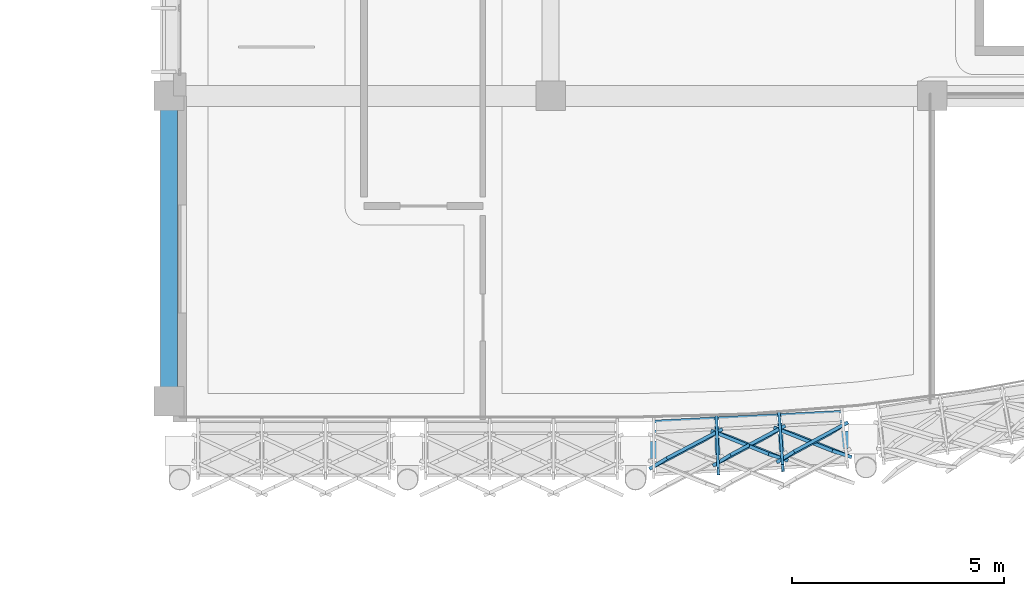
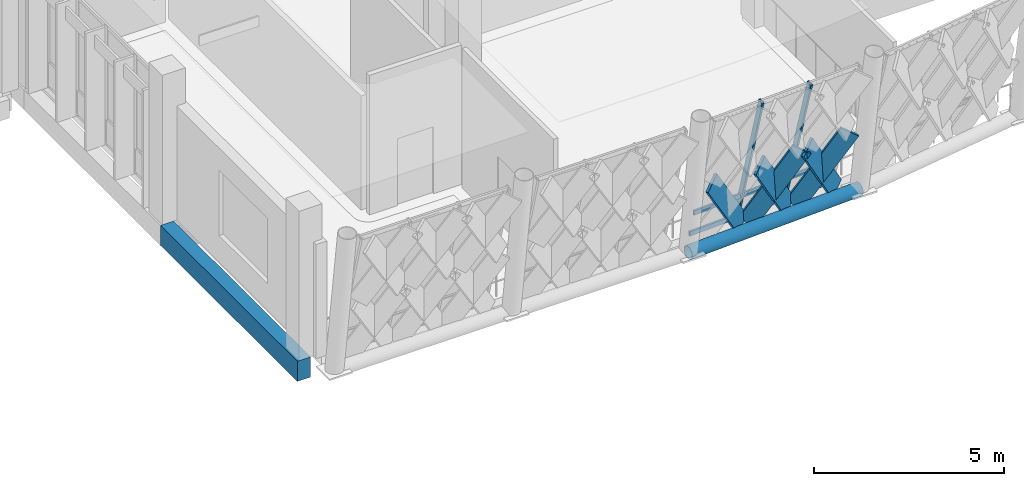
# One storey, part 49 of 177: 9 members, 2 beams, 1 element without a shape of its own.
"""IFC4 building model written with IfcOpenShell, lengths in metres."""

from ifc_helpers import new_model, si_unit, direction, frame, origin, origin_2d, place, context, subcontext, project, spatial, rectangle, hollow_rectangle, hollow_circle, extrude, material, material_profile, profile_set, type_object, element, aggregate, save


model = new_model("IFC4")

# Units and contexts
model_context = context("Model", 3, precision=1e-05, world=origin(), true_north=direction((0.0, 1.0)))
body_context = subcontext(model_context, "Body", "Model", "MODEL_VIEW")
ifc_project = project(units=[si_unit("LENGTHUNIT", "METRE"), si_unit("AREAUNIT", "SQUARE_METRE"), si_unit("VOLUMEUNIT", "CUBIC_METRE"), si_unit("PLANEANGLEUNIT", "RADIAN"), si_unit("MASSUNIT", "GRAM", prefix="KILO")], contexts=[model_context])

# Site, building, storey
site_placement = place(None, origin())
site = spatial("IfcSite", under=ifc_project, at=site_placement, CompositionType="ELEMENT")
building_placement = place(site_placement, origin())
building = spatial("IfcBuilding", under=site, at=building_placement, Name="Chiffa Square Polytechnic", CompositionType="ELEMENT")
storey_placement = place(building_placement, frame((0.0, 0.0, 4.800048828125)))
storey = spatial("IfcBuildingStorey", under=building, at=storey_placement, Name="L01", CompositionType="ELEMENT", Elevation=4.800048828125)

# Beams
ifc_material_1 = material(Name="Concrete C35/45", Category="concrete")
ifc_material_profile_1 = material_profile(ifc_material_1, rectangle(XDim=0.39990234375, YDim=0.64990234375, at=origin_2d()), Name="RC 400x650")
ifc_profile_set_1 = profile_set([ifc_material_profile_1], Name="Concrete C35/45")
beam_type_1 = type_object("IfcBeamType", Name="BM-RC-400X650", PredefinedType="BEAM", material=ifc_profile_set_1)
beam_1_placement = place(storey_placement, frame((112.199951171875, 7.199951171875, -0.60498046875), z_axis=(0.0, 1.0, 0.0), x_axis=(-1.0, 0.0, 0.0)))
element("IfcBeam", 1, at=beam_1_placement, inside=storey, type_object=beam_type_1, Name="Primary floor girder BM-V1-L01-Y-1122-0072", PredefinedType="BEAM", context=body_context, shape_type="SweptSolid", body=[
    extrude(rectangle(XDim=0.39990234375, YDim=0.64990234375, at=origin_2d()), origin(), (0.0, 0.0, 1.0), 7.199951171875),
])
ifc_material_2 = material(Name="Steel S355", Category="steel")
ifc_material_profile_2 = material_profile(ifc_material_2, hollow_circle(Radius=0.203125, WallThickness=0.012451171875, at=origin_2d()), Name="CHS 406.4x12.5")
ifc_profile_set_2 = profile_set([ifc_material_profile_2], Name="Steel S355")
beam_type_2 = type_object("IfcBeamType", Name="BM-STL-CHS406", PredefinedType="BEAM", material=ifc_profile_set_2)
beam_2_placement = place(storey_placement, frame((123.199951171875, 6.029052734375, 0.0), z_axis=(0.998630606664, 0.052315498988, 0.0), x_axis=(-0.052315498988, 0.998630606664, 0.0)))
element("IfcBeam", 2, at=beam_2_placement, inside=storey, type_object=beam_type_2, Name="Prow V-column ring tie BM-V1-VRING-L01-03", PredefinedType="BEAM", context=body_context, shape_type="SweptSolid", body=[
    extrude(hollow_circle(Radius=0.203125, WallThickness=0.012451171875, at=origin_2d()), origin(), (0.0, 0.0, 1.0), 5.371337890625),
])

# Curtain wall, members
ifc_material_3 = material(Name="Aluminium EN AW-6060 T66 and glulam shading", Category="wood")
curtain_wall_type = type_object("IfcCurtainWallType", Name="CW-PROW-LEAN-150", PredefinedType="USERDEFINED", material=ifc_material_3)
curtain_wall_placement = place(storey_placement, origin())
curtain_wall = element("IfcCurtainWall", 3, at=curtain_wall_placement, inside=storey, type_object=curtain_wall_type, Name="Outward-leaning diamond-fin prow curtain wall CW-V1-L01-012", ObjectType="CURTAIN WALL", PredefinedType="USERDEFINED")
ifc_material_4 = material(Name="Aluminium EN AW-6060 T66", Category="aluminium")
ifc_material_profile_3 = material_profile(ifc_material_4, hollow_rectangle(XDim=0.06494140625, YDim=0.179931640625, WallThickness=0.00390625, at=origin_2d()), Name="ALU 65x180x4")
ifc_profile_set_3 = profile_set([ifc_material_profile_3], Name="Aluminium EN AW-6060 T66")
member_type_1 = type_object("IfcMemberType", Name="CWM-ALU-75X180", PredefinedType="MULLION", material=ifc_profile_set_3)
member_1_placement = place(storey_placement, frame((125.107666015625, 6.808349609375, 0.0), z_axis=(0.009439512935, -0.271805530794, 0.962305902001), x_axis=(0.999397495961, 0.034707997159, 0.0)))
member_1 = element("IfcMember", 4, at=member_1_placement, type_object=member_type_1, Name="Leaning prow mullion CW-V1-L01-012-M01", PredefinedType="MULLION", context=body_context, shape_type="SweptSolid", body=[
    extrude(hollow_rectangle(XDim=0.06494140625, YDim=0.179931640625, WallThickness=0.00390625, at=origin_2d()), origin(), (0.0, 0.0, 1.0), 4.655517578125),
])
member_2_placement = place(storey_placement, frame((126.586181640625, 6.8857421875, 0.0), z_axis=(0.018931883719, -0.271234633225, 0.962327053303), x_axis=(0.997572920331, 0.069629509714, 0.0)))
member_2 = element("IfcMember", 5, at=member_2_placement, type_object=member_type_1, Name="Leaning prow mullion CW-V1-L01-012-M02", PredefinedType="MULLION", context=body_context, shape_type="SweptSolid", body=[
    extrude(hollow_rectangle(XDim=0.06494140625, YDim=0.179931640625, WallThickness=0.00390625, at=origin_2d()), origin(), (0.0, 0.0, 1.0), 4.6552734375),
])
ifc_material_5 = material(Name="Glulam GL28h", Category="wood")
ifc_material_profile_4 = material_profile(ifc_material_5, rectangle(XDim=0.080078125, YDim=0.580078125, at=origin_2d()), Name="GL28h 80x580")
ifc_profile_set_4 = profile_set([ifc_material_profile_4], Name="Glulam GL28h")
member_type_2 = type_object("IfcMemberType", Name="CWM-GL-80X580", PredefinedType="MULLION", material=ifc_profile_set_4)
member_3_placement = place(storey_placement, frame((125.0458984375, 6.41796875, 0.0400390625), z_axis=(-0.495368272931, -0.260284480579, 0.82877153869), x_axis=(0.50289604565, -0.863850604345, 0.029286526642)))
member_3 = element("IfcMember", 6, at=member_3_placement, type_object=member_type_2, Name="Diamond glulam fin CW-V1-L01-012-DF01B", PredefinedType="MULLION", context=body_context, shape_type="SweptSolid", body=[
    extrude(rectangle(XDim=0.080078125, YDim=0.580078125, at=origin_2d()), origin(), (0.0, 0.0, 1.0), 2.654541015625),
])
member_4_placement = place(storey_placement, frame((125.208984375, 6.427001953125, 0.0400390625), z_axis=(0.513706760017, -0.208456698554, 0.832256672872), x_axis=(0.335134739218, 0.941723346872, 0.029014557137)))
member_4 = element("IfcMember", 7, at=member_4_placement, type_object=member_type_2, Name="Diamond glulam fin CW-V1-L01-012-DF03A", PredefinedType="MULLION", context=body_context, shape_type="SweptSolid", body=[
    extrude(rectangle(XDim=0.080078125, YDim=0.580078125, at=origin_2d()), origin(), (0.0, 0.0, 1.0), 2.643310546875),
])
member_5_placement = place(storey_placement, frame((126.52490234375, 6.49609375, 0.0400390625), z_axis=(-0.489118843522, -0.261091195362, 0.83222241295), x_axis=(0.508686321088, -0.860462797579, 0.029017248665)))
member_5 = element("IfcMember", 8, at=member_5_placement, type_object=member_type_2, Name="Diamond glulam fin CW-V1-L01-012-DF03B", PredefinedType="MULLION", context=body_context, shape_type="SweptSolid", body=[
    extrude(rectangle(XDim=0.080078125, YDim=0.580078125, at=origin_2d()), origin(), (0.0, 0.0, 1.0), 2.6435546875),
])
member_6_placement = place(storey_placement, frame((126.68798828125, 6.50390625, 0.0400390625), z_axis=(0.519903121501, -0.207115129952, 0.828736428063), x_axis=(0.329286630718, 0.943775637949, 0.029289247943)))
member_6 = element("IfcMember", 9, at=member_6_placement, type_object=member_type_2, Name="Diamond glulam fin CW-V1-L01-012-DF05A", PredefinedType="MULLION", context=body_context, shape_type="SweptSolid", body=[
    extrude(rectangle(XDim=0.080078125, YDim=0.580078125, at=origin_2d()), origin(), (0.0, 0.0, 1.0), 2.654541015625),
])
member_7_placement = place(storey_placement, frame((128.00390625, 6.572998046875, 0.0400390625), z_axis=(-0.483099781223, -0.261671321039, 0.835549352898), x_axis=(0.514070617277, -0.857265768344, 0.028754180196)))
member_7 = element("IfcMember", 10, at=member_7_placement, type_object=member_type_2, Name="Diamond glulam fin CW-V1-L01-012-DF05B", PredefinedType="MULLION", context=body_context, shape_type="SweptSolid", body=[
    extrude(rectangle(XDim=0.080078125, YDim=0.580078125, at=origin_2d()), origin(), (0.0, 0.0, 1.0), 2.633056640625),
])
ifc_material_profile_5 = material_profile(ifc_material_4, hollow_rectangle(XDim=0.06494140625, YDim=0.139892578125, WallThickness=0.00390625, at=origin_2d()), Name="ALU 65x140x4")
ifc_profile_set_5 = profile_set([ifc_material_profile_5], Name="Aluminium EN AW-6060 T66")
member_type_3 = type_object("IfcMemberType", Name="CWT-ALU-75X140", PredefinedType="USERDEFINED", material=ifc_profile_set_5)
member_8_placement = place(storey_placement, frame((123.62890625, 6.7197265625, 0.0400390625), z_axis=(0.998636737204, 0.052198343898, 0.0), x_axis=(-0.052198343898, 0.998636737204, 0.0)))
member_8 = element("IfcMember", 11, at=member_8_placement, type_object=member_type_3, Name="Leaning prow transom CW-V1-L01-012-T01", ObjectType="TRANSOM", PredefinedType="USERDEFINED", context=body_context, shape_type="SweptSolid", body=[
    extrude(hollow_rectangle(XDim=0.06494140625, YDim=0.139892578125, WallThickness=0.00390625, at=origin_2d()), origin(), (0.0, 0.0, 1.0), 4.443359375),
])
member_9_placement = place(storey_placement, frame((123.62890625, 6.490478515625, 0.849853515625), z_axis=(0.998634236018, 0.052246173569, 0.0), x_axis=(-0.052246173569, 0.998634236018, 0.0)))
member_9 = element("IfcMember", 12, at=member_9_placement, type_object=member_type_3, Name="Leaning prow transom CW-V1-L01-012-T02", ObjectType="TRANSOM", PredefinedType="USERDEFINED", context=body_context, shape_type="SweptSolid", body=[
    extrude(hollow_rectangle(XDim=0.06494140625, YDim=0.139892578125, WallThickness=0.00390625, at=origin_2d()), origin(), (0.0, 0.0, 1.0), 4.46728515625),
])
aggregate(curtain_wall, [member_1, member_2, member_8, member_9, member_3, member_4, member_5, member_6, member_7])

save(model, "model.ifc")
